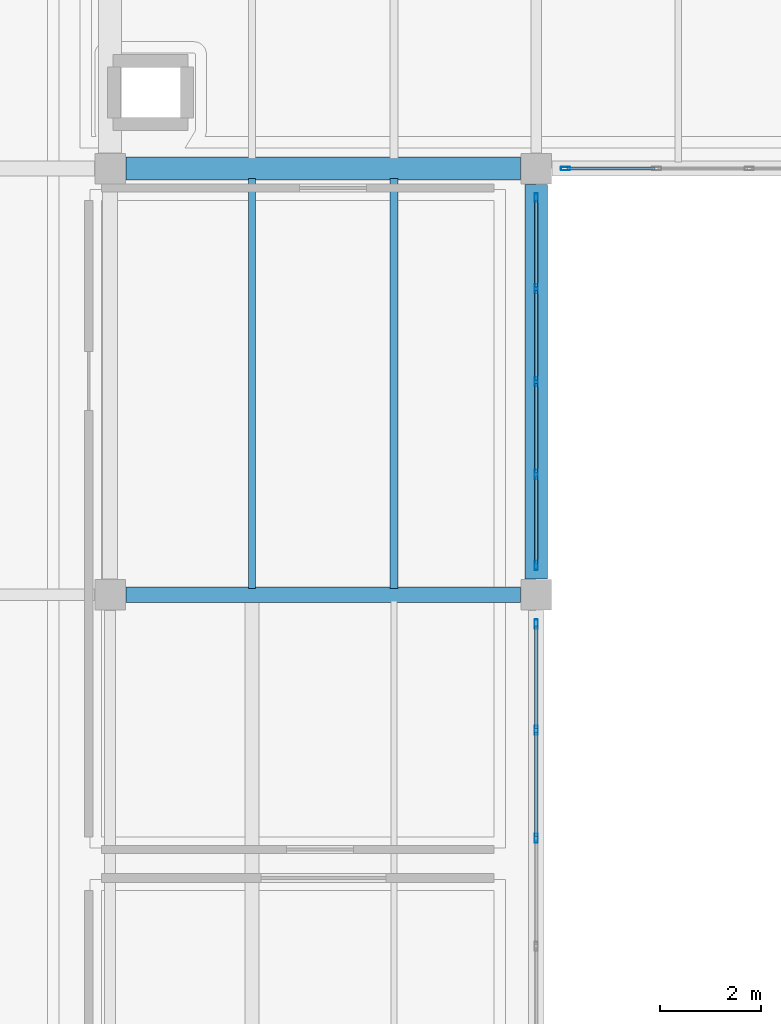
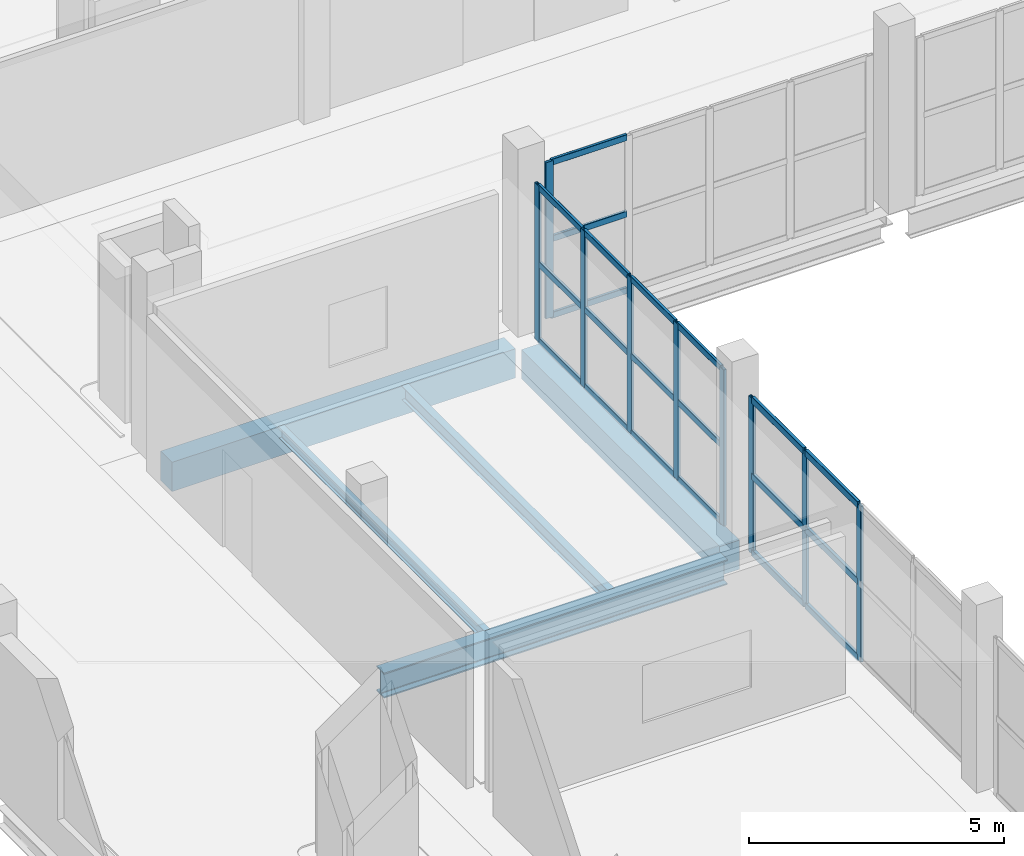
# One storey, part 28 of 54: 30 members, 5 beams, 3 elements without a shape of their own.
"""IFC4 building model written with IfcOpenShell, lengths in metres."""

from ifc_helpers import new_model, si_unit, direction, frame, origin, origin_2d, place, context, subcontext, project, spatial, rectangle, hollow_rectangle, i_section, extrude, material, layer, layer_set, material_profile, profile_set, type_object, element, aggregate, save


model = new_model("IFC4")

# Units and contexts
model_context = context("Model", 3, precision=1e-05, world=origin(), true_north=direction((0.0, 1.0)))
body_context = subcontext(model_context, "Body", "Model", "MODEL_VIEW")
ifc_project = project(units=[si_unit("LENGTHUNIT", "METRE"), si_unit("AREAUNIT", "SQUARE_METRE"), si_unit("VOLUMEUNIT", "CUBIC_METRE"), si_unit("PLANEANGLEUNIT", "RADIAN"), si_unit("MASSUNIT", "GRAM", prefix="KILO")], contexts=[model_context])

# Site, building, storey
site_placement = place(None, origin())
site = spatial("IfcSite", under=ifc_project, at=site_placement, CompositionType="ELEMENT")
building_placement = place(site_placement, origin())
building = spatial("IfcBuilding", under=site, at=building_placement, Name="Zulmaris Art Gallery", CompositionType="ELEMENT")
storey_placement = place(building_placement, frame((0.0, 0.0, 26.39990234375)))
storey = spatial("IfcBuildingStorey", under=building, at=storey_placement, Name="L05", CompositionType="ELEMENT", Elevation=26.39990234375)

# Beams
ifc_material_1 = material(Name="Steel S355J2", Category="steel")
ifc_material_profile_1 = material_profile(ifc_material_1, i_section(OverallWidth=0.300048828125, OverallDepth=0.60009765625, WebThickness=0.015380859375, FlangeThickness=0.030029296875, FilletRadius=0.027099609375, at=origin_2d()), Name="HEB 600")
ifc_profile_set_1 = profile_set([ifc_material_profile_1], Name="Steel S355J2")
beam_type_1 = type_object("IfcBeamType", Name="BEAM-BM15", PredefinedType="BEAM", material=ifc_profile_set_1)
beam_1_placement = place(storey_placement, frame((150.31005859375, 50.39990234375, -0.60986328125), z_axis=(1.0, 0.0, 0.0), x_axis=(0.0, 1.0, 0.0)))
element("IfcBeam", 1, at=beam_1_placement, inside=storey, type_object=beam_type_1, Name="L05 X-girder (150.0..158.4, y=50.4)", PredefinedType="BEAM", context=body_context, shape_type="SweptSolid", body=[
    extrude(i_section(OverallWidth=0.300048828125, OverallDepth=0.60009765625, WebThickness=0.015380859375, FlangeThickness=0.030029296875, FilletRadius=0.027099609375, at=origin_2d()), origin(), (0.0, 0.0, 1.0), 7.780029296875),
])
ifc_material_2 = material(Name="Concrete C40/50", Category="concrete")
ifc_material_profile_2 = material_profile(ifc_material_2, rectangle(XDim=0.449951171875, YDim=0.699951171875, at=origin_2d()), Name="RC 450x700")
ifc_profile_set_2 = profile_set([ifc_material_profile_2], Name="Concrete C40/50")
beam_type_2 = type_object("IfcBeamType", Name="BEAM-BM19", PredefinedType="BEAM", material=ifc_profile_set_2)
for number, where, z_axis, x_axis, name in (
    (2, (150.31005859375, 58.800048828125, -0.659912109375), (1.0, 0.0, 0.0), (0.0, 1.0, 0.0), "L05 X-girder (150.0..158.4, y=58.8)"),
    (3, (158.39990234375, 50.7099609375, -0.659912109375), (0.0, 1.0, 0.0), (-1.0, 0.0, 0.0), "L05 Y-girder (x=158.4, 50.4..58.8)"),
):
    element("IfcBeam", number, at=place(storey_placement, frame(where, z_axis=z_axis, x_axis=x_axis)), inside=storey, type_object=beam_type_2, Name=name, PredefinedType="BEAM", context=body_context, shape_type="SweptSolid", body=[
        extrude(rectangle(XDim=0.449951171875, YDim=0.699951171875, at=origin_2d()), origin(), (0.0, 0.0, 1.0), 7.780029296875),
    ])
ifc_material_profile_3 = material_profile(ifc_material_1, i_section(OverallWidth=0.135009765625, OverallDepth=0.27001953125, WebThickness=0.006591796875, FlangeThickness=0.01025390625, FilletRadius=0.014892578125, at=origin_2d()), Name="IPE 270")
ifc_profile_set_3 = profile_set([ifc_material_profile_3], Name="Steel S355J2")
beam_type_3 = type_object("IfcBeamType", Name="BEAM-JS02", PredefinedType="JOIST", material=ifc_profile_set_3)
beam_2_placement = place(storey_placement, frame((152.800048828125, 50.52490234375, -0.44482421875), z_axis=(0.0, 1.0, 0.0), x_axis=(-1.0, 0.0, 0.0)))
element("IfcBeam", 4, at=beam_2_placement, inside=storey, type_object=beam_type_3, Name="L05 secondary joist at x=152.8", PredefinedType="JOIST", context=body_context, shape_type="SweptSolid", body=[
    extrude(i_section(OverallWidth=0.135009765625, OverallDepth=0.27001953125, WebThickness=0.006591796875, FlangeThickness=0.01025390625, FilletRadius=0.014892578125, at=origin_2d()), origin(), (0.0, 0.0, 1.0), 8.0751953125),
])
ifc_material_profile_4 = material_profile(ifc_material_1, i_section(OverallWidth=0.159912109375, OverallDepth=0.330078125, WebThickness=0.007568359375, FlangeThickness=0.011474609375, FilletRadius=0.01806640625, at=origin_2d()), Name="IPE 330")
ifc_profile_set_4 = profile_set([ifc_material_profile_4], Name="Steel S355J2")
beam_type_4 = type_object("IfcBeamType", Name="BEAM-JS03", PredefinedType="JOIST", material=ifc_profile_set_4)
beam_3_placement = place(storey_placement, frame((155.60009765625, 50.52490234375, -0.474853515625), z_axis=(0.0, 1.0, 0.0), x_axis=(-1.0, 0.0, 0.0)))
element("IfcBeam", 5, at=beam_3_placement, inside=storey, type_object=beam_type_4, Name="L05 secondary joist at x=155.6", PredefinedType="JOIST", context=body_context, shape_type="SweptSolid", body=[
    extrude(i_section(OverallWidth=0.159912109375, OverallDepth=0.330078125, WebThickness=0.007568359375, FlangeThickness=0.011474609375, FilletRadius=0.01806640625, at=origin_2d()), origin(), (0.0, 0.0, 1.0), 8.0751953125),
])

# Curtain wall, members
ifc_material_3 = material(Name="Courtyard Artists Studio Curtain Wall", Category="aluminium")
ifc_layer = layer(ifc_material_3, 0.179931640625)
ifc_layer_set = layer_set([ifc_layer], Name="Courtyard Artists Studio Curtain Wall")
curtain_wall_type = type_object("IfcCurtainWallType", Name="CW-CW04", PredefinedType="NOTDEFINED", material=ifc_layer_set)
curtain_wall_1_placement = place(storey_placement, origin())
curtain_wall_1 = element("IfcCurtainWall", 6, at=curtain_wall_1_placement, inside=storey, type_object=curtain_wall_type, Name="L05 curtain wall 166", PredefinedType="NOTDEFINED")
ifc_material_4 = material(Name="Anodised Bronze Aluminium", Category="aluminium")
ifc_material_profile_5 = material_profile(ifc_material_4, hollow_rectangle(XDim=0.06494140625, YDim=0.179931640625, WallThickness=0.00390625, InnerFilletRadius=0.006103515625, OuterFilletRadius=0.010009765625, at=origin_2d()), Name="ALU 65x180x4")
ifc_profile_set_5 = profile_set([ifc_material_profile_5], Name="Anodised Bronze Aluminium")
member_type_1 = type_object("IfcMemberType", Name="CWMUL-01", PredefinedType="MULLION", material=ifc_profile_set_5)
member_1_placement = place(storey_placement, frame((158.39990234375, 45.60009765625, 0.0), z_axis=(0.0, 0.0, 1.0), x_axis=(-1.0, 0.0, 0.0)))
member_1 = element("IfcMember", 7, at=member_1_placement, type_object=member_type_1, Name="CW04 mullion 3", PredefinedType="MULLION", context=body_context, shape_type="SweptSolid", body=[
    extrude(hollow_rectangle(XDim=0.06494140625, YDim=0.179931640625, WallThickness=0.00390625, InnerFilletRadius=0.006103515625, OuterFilletRadius=0.010009765625, at=origin_2d()), origin(), (0.0, 0.0, 1.0), 3.72998046875),
])
member_2_placement = place(storey_placement, frame((158.39990234375, 47.72998046875, 0.0), z_axis=(0.0, 0.0, 1.0), x_axis=(-1.0, 0.0, 0.0)))
member_2 = element("IfcMember", 8, at=member_2_placement, type_object=member_type_1, Name="CW04 mullion 4", PredefinedType="MULLION", context=body_context, shape_type="SweptSolid", body=[
    extrude(hollow_rectangle(XDim=0.06494140625, YDim=0.179931640625, WallThickness=0.00390625, InnerFilletRadius=0.006103515625, OuterFilletRadius=0.010009765625, at=origin_2d()), origin(), (0.0, 0.0, 1.0), 3.72998046875),
])
member_3_placement = place(storey_placement, frame((158.39990234375, 49.822509765625, 0.0), z_axis=(0.0, 0.0, 1.0), x_axis=(-1.0, 0.0, 0.0)))
member_3 = element("IfcMember", 9, at=member_3_placement, type_object=member_type_1, Name="CW04 mullion 5", PredefinedType="MULLION", context=body_context, shape_type="SweptSolid", body=[
    extrude(hollow_rectangle(XDim=0.06494140625, YDim=0.179931640625, WallThickness=0.00390625, InnerFilletRadius=0.006103515625, OuterFilletRadius=0.010009765625, at=origin_2d()), origin(), (0.0, 0.0, 1.0), 3.72998046875),
])

curtain_wall_2_placement = place(storey_placement, origin())
curtain_wall_2 = element("IfcCurtainWall", 10, at=curtain_wall_2_placement, inside=storey, type_object=curtain_wall_type, Name="L05 curtain wall 167", PredefinedType="NOTDEFINED")
member_4_placement = place(storey_placement, frame((158.39990234375, 50.9775390625, 0.0), z_axis=(0.0, 0.0, 1.0), x_axis=(-1.0, 0.0, 0.0)))
member_4 = element("IfcMember", 11, at=member_4_placement, type_object=member_type_1, Name="CW04 mullion 1", PredefinedType="MULLION", context=body_context, shape_type="SweptSolid", body=[
    extrude(hollow_rectangle(XDim=0.06494140625, YDim=0.179931640625, WallThickness=0.00390625, InnerFilletRadius=0.006103515625, OuterFilletRadius=0.010009765625, at=origin_2d()), origin(), (0.0, 0.0, 1.0), 3.739990234375),
])
member_5_placement = place(storey_placement, frame((158.39990234375, 52.77001953125, 0.0), z_axis=(0.0, 0.0, 1.0), x_axis=(-1.0, 0.0, 0.0)))
member_5 = element("IfcMember", 12, at=member_5_placement, type_object=member_type_1, Name="CW04 mullion 2", PredefinedType="MULLION", context=body_context, shape_type="SweptSolid", body=[
    extrude(hollow_rectangle(XDim=0.06494140625, YDim=0.179931640625, WallThickness=0.00390625, InnerFilletRadius=0.006103515625, OuterFilletRadius=0.010009765625, at=origin_2d()), origin(), (0.0, 0.0, 1.0), 3.739990234375),
])
member_6_placement = place(storey_placement, frame((158.39990234375, 54.60009765625, 0.0), z_axis=(0.0, 0.0, 1.0), x_axis=(-1.0, 0.0, 0.0)))
member_6 = element("IfcMember", 13, at=member_6_placement, type_object=member_type_1, Name="CW04 mullion 3", PredefinedType="MULLION", context=body_context, shape_type="SweptSolid", body=[
    extrude(hollow_rectangle(XDim=0.06494140625, YDim=0.179931640625, WallThickness=0.00390625, InnerFilletRadius=0.006103515625, OuterFilletRadius=0.010009765625, at=origin_2d()), origin(), (0.0, 0.0, 1.0), 3.739990234375),
])
member_7_placement = place(storey_placement, frame((158.39990234375, 56.429931640625, 0.0), z_axis=(0.0, 0.0, 1.0), x_axis=(-1.0, 0.0, 0.0)))
member_7 = element("IfcMember", 14, at=member_7_placement, type_object=member_type_1, Name="CW04 mullion 4", PredefinedType="MULLION", context=body_context, shape_type="SweptSolid", body=[
    extrude(hollow_rectangle(XDim=0.06494140625, YDim=0.179931640625, WallThickness=0.00390625, InnerFilletRadius=0.006103515625, OuterFilletRadius=0.010009765625, at=origin_2d()), origin(), (0.0, 0.0, 1.0), 3.739990234375),
])
member_8_placement = place(storey_placement, frame((158.39990234375, 58.222412109375, 0.0), z_axis=(0.0, 0.0, 1.0), x_axis=(-1.0, 0.0, 0.0)))
member_8 = element("IfcMember", 15, at=member_8_placement, type_object=member_type_1, Name="CW04 mullion 5", PredefinedType="MULLION", context=body_context, shape_type="SweptSolid", body=[
    extrude(hollow_rectangle(XDim=0.06494140625, YDim=0.179931640625, WallThickness=0.00390625, InnerFilletRadius=0.006103515625, OuterFilletRadius=0.010009765625, at=origin_2d()), origin(), (0.0, 0.0, 1.0), 3.739990234375),
])

# Curtain wall, member
curtain_wall_3_placement = place(storey_placement, origin())
curtain_wall_3 = element("IfcCurtainWall", 16, at=curtain_wall_3_placement, inside=storey, type_object=curtain_wall_type, Name="L05 curtain wall 168", PredefinedType="NOTDEFINED")
member_9_placement = place(storey_placement, frame((158.9775390625, 58.800048828125, 0.0), z_axis=(0.0, 0.0, 1.0), x_axis=(0.0, -1.0, 0.0)))
member_9 = element("IfcMember", 17, at=member_9_placement, type_object=member_type_1, Name="CW04 mullion 5", PredefinedType="MULLION", context=body_context, shape_type="SweptSolid", body=[
    extrude(hollow_rectangle(XDim=0.06494140625, YDim=0.179931640625, WallThickness=0.00390625, InnerFilletRadius=0.006103515625, OuterFilletRadius=0.010009765625, at=origin_2d()), origin(), (0.0, 0.0, 1.0), 3.739990234375),
])

# Member
ifc_material_profile_6 = material_profile(ifc_material_4, hollow_rectangle(XDim=0.06494140625, YDim=0.14990234375, WallThickness=0.00390625, InnerFilletRadius=0.006103515625, OuterFilletRadius=0.010009765625, at=origin_2d()), Name="ALU 65x150x4")
ifc_profile_set_6 = profile_set([ifc_material_profile_6], Name="Anodised Bronze Aluminium")
member_type_2 = type_object("IfcMemberType", Name="CWTRN-01", PredefinedType="USERDEFINED", material=ifc_profile_set_6)
member_10_placement = place(storey_placement, frame((158.39990234375, 51.014892578125, 0.03759765625), z_axis=(0.0, 1.0, 0.0), x_axis=(-1.0, 0.0, 0.0)))
member_10 = element("IfcMember", 18, at=member_10_placement, type_object=member_type_2, Name="CW04 transom 1.1", ObjectType="TRANSOM", PredefinedType="USERDEFINED", context=body_context, shape_type="SweptSolid", body=[
    extrude(hollow_rectangle(XDim=0.06494140625, YDim=0.14990234375, WallThickness=0.00390625, InnerFilletRadius=0.006103515625, OuterFilletRadius=0.010009765625, at=origin_2d()), origin(), (0.0, 0.0, 1.0), 1.717529296875),
])

member_11_placement = place(storey_placement, frame((158.39990234375, 51.014892578125, 1.8701171875), z_axis=(0.0, 1.0, 0.0), x_axis=(-1.0, 0.0, 0.0)))
member_11 = element("IfcMember", 19, at=member_11_placement, type_object=member_type_2, Name="CW04 transom 1.2", ObjectType="TRANSOM", PredefinedType="USERDEFINED", context=body_context, shape_type="SweptSolid", body=[
    extrude(hollow_rectangle(XDim=0.06494140625, YDim=0.14990234375, WallThickness=0.00390625, InnerFilletRadius=0.006103515625, OuterFilletRadius=0.010009765625, at=origin_2d()), origin(), (0.0, 0.0, 1.0), 1.717529296875),
])

member_12_placement = place(storey_placement, frame((158.39990234375, 51.014892578125, 3.70263671875), z_axis=(0.0, 1.0, 0.0), x_axis=(-1.0, 0.0, 0.0)))
member_12 = element("IfcMember", 20, at=member_12_placement, type_object=member_type_2, Name="CW04 transom 1.3", ObjectType="TRANSOM", PredefinedType="USERDEFINED", context=body_context, shape_type="SweptSolid", body=[
    extrude(hollow_rectangle(XDim=0.06494140625, YDim=0.14990234375, WallThickness=0.00390625, InnerFilletRadius=0.006103515625, OuterFilletRadius=0.010009765625, at=origin_2d()), origin(), (0.0, 0.0, 1.0), 1.717529296875),
])

member_13_placement = place(storey_placement, frame((158.39990234375, 52.8076171875, 0.03759765625), z_axis=(0.0, 1.0, 0.0), x_axis=(-1.0, 0.0, 0.0)))
member_13 = element("IfcMember", 21, at=member_13_placement, type_object=member_type_2, Name="CW04 transom 2.1", ObjectType="TRANSOM", PredefinedType="USERDEFINED", context=body_context, shape_type="SweptSolid", body=[
    extrude(hollow_rectangle(XDim=0.06494140625, YDim=0.14990234375, WallThickness=0.00390625, InnerFilletRadius=0.006103515625, OuterFilletRadius=0.010009765625, at=origin_2d()), origin(), (0.0, 0.0, 1.0), 1.7548828125),
])

member_14_placement = place(storey_placement, frame((158.39990234375, 52.8076171875, 1.8701171875), z_axis=(0.0, 1.0, 0.0), x_axis=(-1.0, 0.0, 0.0)))
member_14 = element("IfcMember", 22, at=member_14_placement, type_object=member_type_2, Name="CW04 transom 2.2", ObjectType="TRANSOM", PredefinedType="USERDEFINED", context=body_context, shape_type="SweptSolid", body=[
    extrude(hollow_rectangle(XDim=0.06494140625, YDim=0.14990234375, WallThickness=0.00390625, InnerFilletRadius=0.006103515625, OuterFilletRadius=0.010009765625, at=origin_2d()), origin(), (0.0, 0.0, 1.0), 1.7548828125),
])

member_15_placement = place(storey_placement, frame((158.39990234375, 52.8076171875, 3.70263671875), z_axis=(0.0, 1.0, 0.0), x_axis=(-1.0, 0.0, 0.0)))
member_15 = element("IfcMember", 23, at=member_15_placement, type_object=member_type_2, Name="CW04 transom 2.3", ObjectType="TRANSOM", PredefinedType="USERDEFINED", context=body_context, shape_type="SweptSolid", body=[
    extrude(hollow_rectangle(XDim=0.06494140625, YDim=0.14990234375, WallThickness=0.00390625, InnerFilletRadius=0.006103515625, OuterFilletRadius=0.010009765625, at=origin_2d()), origin(), (0.0, 0.0, 1.0), 1.7548828125),
])

member_16_placement = place(storey_placement, frame((158.39990234375, 54.637451171875, 0.03759765625), z_axis=(0.0, 1.0, 0.0), x_axis=(-1.0, 0.0, 0.0)))
member_16 = element("IfcMember", 24, at=member_16_placement, type_object=member_type_2, Name="CW04 transom 3.1", ObjectType="TRANSOM", PredefinedType="USERDEFINED", context=body_context, shape_type="SweptSolid", body=[
    extrude(hollow_rectangle(XDim=0.06494140625, YDim=0.14990234375, WallThickness=0.00390625, InnerFilletRadius=0.006103515625, OuterFilletRadius=0.010009765625, at=origin_2d()), origin(), (0.0, 0.0, 1.0), 1.755126953125),
])

member_17_placement = place(storey_placement, frame((158.39990234375, 54.637451171875, 1.8701171875), z_axis=(0.0, 1.0, 0.0), x_axis=(-1.0, 0.0, 0.0)))
member_17 = element("IfcMember", 25, at=member_17_placement, type_object=member_type_2, Name="CW04 transom 3.2", ObjectType="TRANSOM", PredefinedType="USERDEFINED", context=body_context, shape_type="SweptSolid", body=[
    extrude(hollow_rectangle(XDim=0.06494140625, YDim=0.14990234375, WallThickness=0.00390625, InnerFilletRadius=0.006103515625, OuterFilletRadius=0.010009765625, at=origin_2d()), origin(), (0.0, 0.0, 1.0), 1.755126953125),
])

member_18_placement = place(storey_placement, frame((158.39990234375, 54.637451171875, 3.70263671875), z_axis=(0.0, 1.0, 0.0), x_axis=(-1.0, 0.0, 0.0)))
member_18 = element("IfcMember", 26, at=member_18_placement, type_object=member_type_2, Name="CW04 transom 3.3", ObjectType="TRANSOM", PredefinedType="USERDEFINED", context=body_context, shape_type="SweptSolid", body=[
    extrude(hollow_rectangle(XDim=0.06494140625, YDim=0.14990234375, WallThickness=0.00390625, InnerFilletRadius=0.006103515625, OuterFilletRadius=0.010009765625, at=origin_2d()), origin(), (0.0, 0.0, 1.0), 1.755126953125),
])

member_19_placement = place(storey_placement, frame((158.39990234375, 56.467529296875, 0.03759765625), z_axis=(0.0, 1.0, 0.0), x_axis=(-1.0, 0.0, 0.0)))
member_19 = element("IfcMember", 27, at=member_19_placement, type_object=member_type_2, Name="CW04 transom 4.1", ObjectType="TRANSOM", PredefinedType="USERDEFINED", context=body_context, shape_type="SweptSolid", body=[
    extrude(hollow_rectangle(XDim=0.06494140625, YDim=0.14990234375, WallThickness=0.00390625, InnerFilletRadius=0.006103515625, OuterFilletRadius=0.010009765625, at=origin_2d()), origin(), (0.0, 0.0, 1.0), 1.717529296875),
])

member_20_placement = place(storey_placement, frame((158.39990234375, 56.467529296875, 1.8701171875), z_axis=(0.0, 1.0, 0.0), x_axis=(-1.0, 0.0, 0.0)))
member_20 = element("IfcMember", 28, at=member_20_placement, type_object=member_type_2, Name="CW04 transom 4.2", ObjectType="TRANSOM", PredefinedType="USERDEFINED", context=body_context, shape_type="SweptSolid", body=[
    extrude(hollow_rectangle(XDim=0.06494140625, YDim=0.14990234375, WallThickness=0.00390625, InnerFilletRadius=0.006103515625, OuterFilletRadius=0.010009765625, at=origin_2d()), origin(), (0.0, 0.0, 1.0), 1.717529296875),
])

member_21_placement = place(storey_placement, frame((158.39990234375, 56.467529296875, 3.70263671875), z_axis=(0.0, 1.0, 0.0), x_axis=(-1.0, 0.0, 0.0)))
member_21 = element("IfcMember", 29, at=member_21_placement, type_object=member_type_2, Name="CW04 transom 4.3", ObjectType="TRANSOM", PredefinedType="USERDEFINED", context=body_context, shape_type="SweptSolid", body=[
    extrude(hollow_rectangle(XDim=0.06494140625, YDim=0.14990234375, WallThickness=0.00390625, InnerFilletRadius=0.006103515625, OuterFilletRadius=0.010009765625, at=origin_2d()), origin(), (0.0, 0.0, 1.0), 1.717529296875),
])

aggregate(curtain_wall_2, [member_4, member_5, member_6, member_7, member_8, member_10, member_11, member_12, member_13, member_14, member_15, member_16, member_17, member_18, member_19, member_20, member_21])

member_22_placement = place(storey_placement, frame((160.732421875, 58.800048828125, 0.03759765625), z_axis=(-1.0, 0.0, 0.0), x_axis=(0.0, -1.0, 0.0)))
member_22 = element("IfcMember", 30, at=member_22_placement, type_object=member_type_2, Name="CW04 transom 4.1", ObjectType="TRANSOM", PredefinedType="USERDEFINED", context=body_context, shape_type="SweptSolid", body=[
    extrude(hollow_rectangle(XDim=0.06494140625, YDim=0.14990234375, WallThickness=0.00390625, InnerFilletRadius=0.006103515625, OuterFilletRadius=0.010009765625, at=origin_2d()), origin(), (0.0, 0.0, 1.0), 1.717529296875),
])

member_23_placement = place(storey_placement, frame((160.732421875, 58.800048828125, 1.8701171875), z_axis=(-1.0, 0.0, 0.0), x_axis=(0.0, -1.0, 0.0)))
member_23 = element("IfcMember", 31, at=member_23_placement, type_object=member_type_2, Name="CW04 transom 4.2", ObjectType="TRANSOM", PredefinedType="USERDEFINED", context=body_context, shape_type="SweptSolid", body=[
    extrude(hollow_rectangle(XDim=0.06494140625, YDim=0.14990234375, WallThickness=0.00390625, InnerFilletRadius=0.006103515625, OuterFilletRadius=0.010009765625, at=origin_2d()), origin(), (0.0, 0.0, 1.0), 1.717529296875),
])

member_24_placement = place(storey_placement, frame((160.732421875, 58.800048828125, 3.70263671875), z_axis=(-1.0, 0.0, 0.0), x_axis=(0.0, -1.0, 0.0)))
member_24 = element("IfcMember", 32, at=member_24_placement, type_object=member_type_2, Name="CW04 transom 4.3", ObjectType="TRANSOM", PredefinedType="USERDEFINED", context=body_context, shape_type="SweptSolid", body=[
    extrude(hollow_rectangle(XDim=0.06494140625, YDim=0.14990234375, WallThickness=0.00390625, InnerFilletRadius=0.006103515625, OuterFilletRadius=0.010009765625, at=origin_2d()), origin(), (0.0, 0.0, 1.0), 1.717529296875),
])

aggregate(curtain_wall_3, [member_9, member_22, member_23, member_24])

ifc_material_profile_7 = material_profile(ifc_material_4, hollow_rectangle(XDim=0.074951171875, YDim=0.159912109375, WallThickness=0.00390625, InnerFilletRadius=0.006103515625, OuterFilletRadius=0.010009765625, at=origin_2d()), Name="ALU 75x160x4")
ifc_profile_set_7 = profile_set([ifc_material_profile_7], Name="Anodised Bronze Aluminium")
member_type_3 = type_object("IfcMemberType", Name="CWTRN-02", PredefinedType="USERDEFINED", material=ifc_profile_set_7)
member_25_placement = place(storey_placement, frame((158.39990234375, 45.637451171875, 0.03759765625), z_axis=(0.0, 1.0, 0.0), x_axis=(-1.0, 0.0, 0.0)))
member_25 = element("IfcMember", 33, at=member_25_placement, type_object=member_type_3, Name="CW04 transom 3.1", ObjectType="TRANSOM", PredefinedType="USERDEFINED", context=body_context, shape_type="SweptSolid", body=[
    extrude(hollow_rectangle(XDim=0.074951171875, YDim=0.159912109375, WallThickness=0.00390625, InnerFilletRadius=0.006103515625, OuterFilletRadius=0.010009765625, at=origin_2d()), origin(), (0.0, 0.0, 1.0), 2.054931640625),
])

member_26_placement = place(storey_placement, frame((158.39990234375, 45.637451171875, 1.864990234375), z_axis=(0.0, 1.0, 0.0), x_axis=(-1.0, 0.0, 0.0)))
member_26 = element("IfcMember", 34, at=member_26_placement, type_object=member_type_3, Name="CW04 transom 3.2", ObjectType="TRANSOM", PredefinedType="USERDEFINED", context=body_context, shape_type="SweptSolid", body=[
    extrude(hollow_rectangle(XDim=0.074951171875, YDim=0.159912109375, WallThickness=0.00390625, InnerFilletRadius=0.006103515625, OuterFilletRadius=0.010009765625, at=origin_2d()), origin(), (0.0, 0.0, 1.0), 2.054931640625),
])

member_27_placement = place(storey_placement, frame((158.39990234375, 45.637451171875, 3.692626953125), z_axis=(0.0, 1.0, 0.0), x_axis=(-1.0, 0.0, 0.0)))
member_27 = element("IfcMember", 35, at=member_27_placement, type_object=member_type_3, Name="CW04 transom 3.3", ObjectType="TRANSOM", PredefinedType="USERDEFINED", context=body_context, shape_type="SweptSolid", body=[
    extrude(hollow_rectangle(XDim=0.074951171875, YDim=0.159912109375, WallThickness=0.00390625, InnerFilletRadius=0.006103515625, OuterFilletRadius=0.010009765625, at=origin_2d()), origin(), (0.0, 0.0, 1.0), 2.054931640625),
])

member_28_placement = place(storey_placement, frame((158.39990234375, 47.767578125, 0.03759765625), z_axis=(0.0, 1.0, 0.0), x_axis=(-1.0, 0.0, 0.0)))
member_28 = element("IfcMember", 36, at=member_28_placement, type_object=member_type_3, Name="CW04 transom 4.1", ObjectType="TRANSOM", PredefinedType="USERDEFINED", context=body_context, shape_type="SweptSolid", body=[
    extrude(hollow_rectangle(XDim=0.074951171875, YDim=0.159912109375, WallThickness=0.00390625, InnerFilletRadius=0.006103515625, OuterFilletRadius=0.010009765625, at=origin_2d()), origin(), (0.0, 0.0, 1.0), 2.017333984375),
])

member_29_placement = place(storey_placement, frame((158.39990234375, 47.767578125, 1.864990234375), z_axis=(0.0, 1.0, 0.0), x_axis=(-1.0, 0.0, 0.0)))
member_29 = element("IfcMember", 37, at=member_29_placement, type_object=member_type_3, Name="CW04 transom 4.2", ObjectType="TRANSOM", PredefinedType="USERDEFINED", context=body_context, shape_type="SweptSolid", body=[
    extrude(hollow_rectangle(XDim=0.074951171875, YDim=0.159912109375, WallThickness=0.00390625, InnerFilletRadius=0.006103515625, OuterFilletRadius=0.010009765625, at=origin_2d()), origin(), (0.0, 0.0, 1.0), 2.017333984375),
])

member_30_placement = place(storey_placement, frame((158.39990234375, 47.767578125, 3.692626953125), z_axis=(0.0, 1.0, 0.0), x_axis=(-1.0, 0.0, 0.0)))
member_30 = element("IfcMember", 38, at=member_30_placement, type_object=member_type_3, Name="CW04 transom 4.3", ObjectType="TRANSOM", PredefinedType="USERDEFINED", context=body_context, shape_type="SweptSolid", body=[
    extrude(hollow_rectangle(XDim=0.074951171875, YDim=0.159912109375, WallThickness=0.00390625, InnerFilletRadius=0.006103515625, OuterFilletRadius=0.010009765625, at=origin_2d()), origin(), (0.0, 0.0, 1.0), 2.017333984375),
])

aggregate(curtain_wall_1, [member_1, member_2, member_3, member_25, member_26, member_27, member_28, member_29, member_30])

save(model, "model.ifc")
